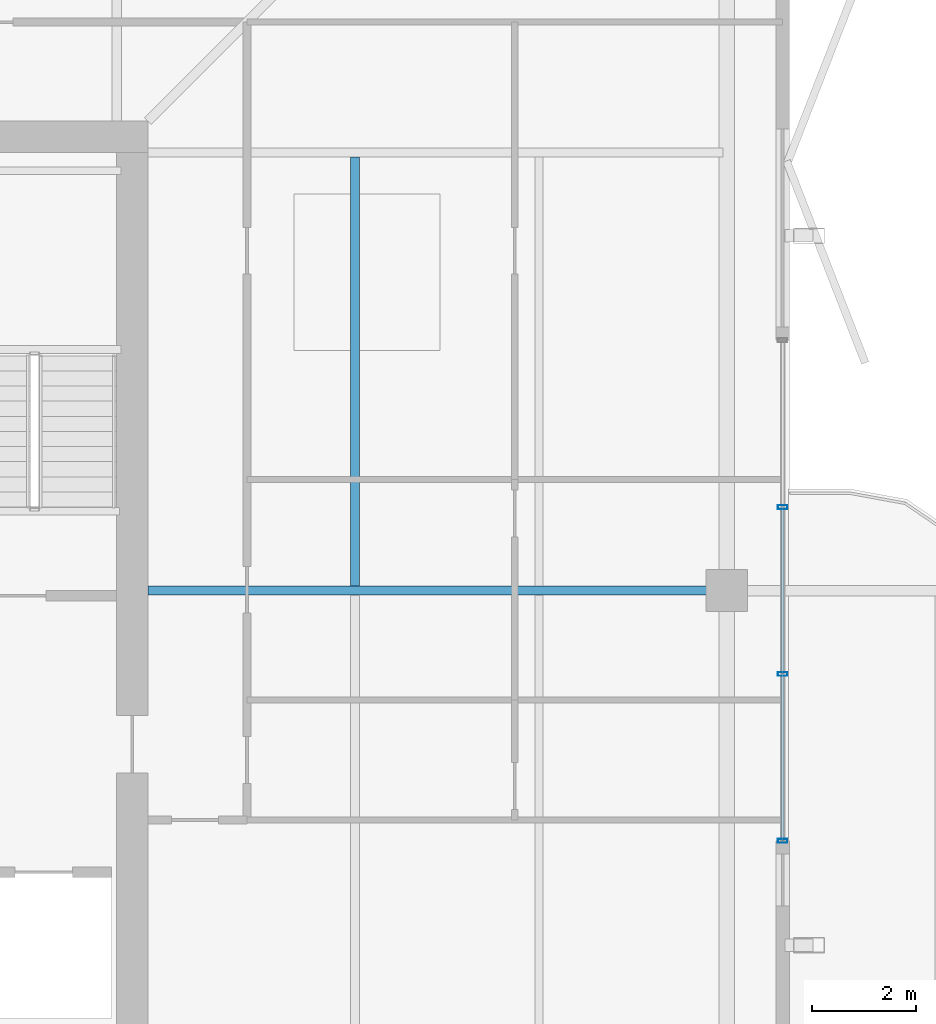
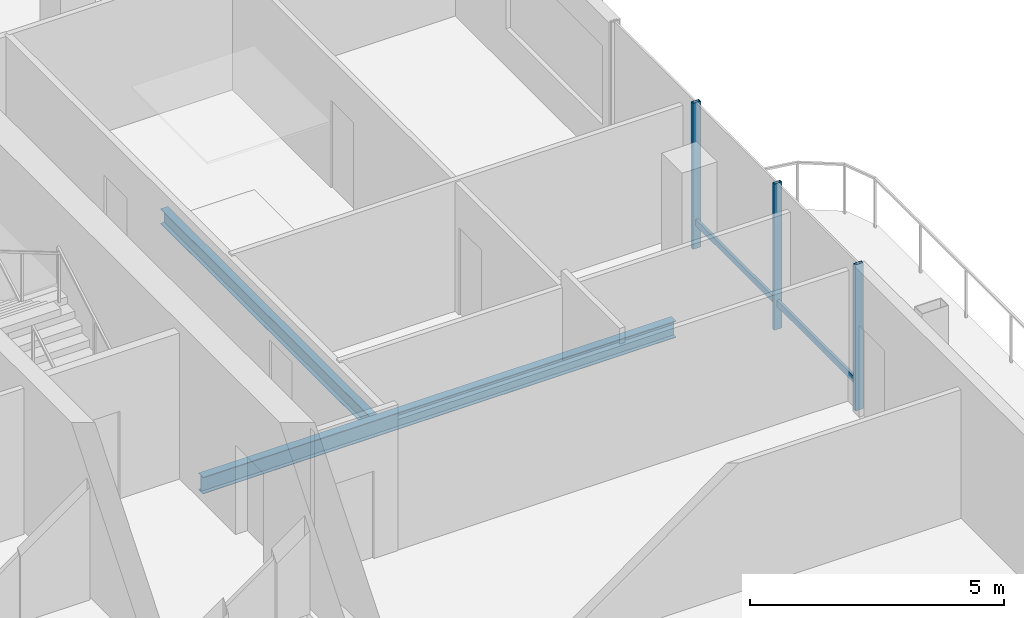
# One storey, part 9 of 22: 5 members, 2 beams, 1 element without a shape of its own.
"""IFC4 building model written with IfcOpenShell, lengths in metres."""

from ifc_helpers import new_model, si_unit, direction, frame, origin, origin_2d, place, context, subcontext, project, spatial, hollow_rectangle, i_section, extrude, material, layer, layer_set, material_profile, profile_set, type_object, element, aggregate, save


model = new_model("IFC4")

# Units and contexts
model_context = context("Model", 3, precision=1e-05, world=origin(), true_north=direction((0.0, 1.0)))
body_context = subcontext(model_context, "Body", "Model", "MODEL_VIEW")
ifc_project = project(units=[si_unit("LENGTHUNIT", "METRE"), si_unit("AREAUNIT", "SQUARE_METRE"), si_unit("VOLUMEUNIT", "CUBIC_METRE"), si_unit("PLANEANGLEUNIT", "RADIAN"), si_unit("MASSUNIT", "GRAM", prefix="KILO")], contexts=[model_context])

# Site, building, storey
site_placement = place(None, origin())
site = spatial("IfcSite", under=ifc_project, at=site_placement, CompositionType="ELEMENT")
building_placement = place(site_placement, origin())
building = spatial("IfcBuilding", under=site, at=building_placement, Name="Belovzor Exchange Tower", CompositionType="ELEMENT")
storey_placement = place(building_placement, frame((0.0, 0.0, 348.0)))
storey = spatial("IfcBuildingStorey", under=building, at=storey_placement, Name="L87", CompositionType="ELEMENT", Elevation=348.0)

# Beam
ifc_material_1 = material(Name="Steel S355", Category="steel")
ifc_material_profile_1 = material_profile(ifc_material_1, i_section(OverallWidth=0.169921875, OverallDepth=0.360107421875, WebThickness=0.008056640625, FlangeThickness=0.0126953125, at=origin_2d()))
ifc_profile_set_1 = profile_set([ifc_material_profile_1], Name="Steel S355")
beam_type_1 = type_object("IfcBeamType", Name="Secondary Infill Floor Joist IPE 360", PredefinedType="BEAM", material=ifc_profile_set_1)
beam_1_placement = place(storey_placement, frame((41.76904296875, 28.889892578125, -0.419921875), z_axis=(0.0, 1.0, 0.0), x_axis=(-1.0, 0.0, 0.0)))
element("IfcBeam", 1, at=beam_1_placement, inside=storey, type_object=beam_type_1, Name="FJ-360 Secondary Infill Floor Joist IPE 360", PredefinedType="BEAM", context=body_context, shape_type="SweptSolid", body=[
    extrude(i_section(OverallWidth=0.169921875, OverallDepth=0.360107421875, WebThickness=0.008056640625, FlangeThickness=0.0126953125, at=origin_2d()), origin(), (0.0, 0.0, 1.0), 8.22021484375),
])

# Curtain wall, members
ifc_material_2 = material(Name="Anodised Aluminium Framing", Category="aluminium")
ifc_layer = layer(ifc_material_2, 0.179931640625)
ifc_layer_set = layer_set([ifc_layer], Name="Anodised Aluminium Framing")
curtain_wall_type = type_object("IfcCurtainWallType", Name="Recessed Loggia Low-Iron Triple-Glazed Curtain Wall", PredefinedType="NOTDEFINED", material=ifc_layer_set)
curtain_wall_placement = place(storey_placement, origin())
curtain_wall = element("IfcCurtainWall", 2, at=curtain_wall_placement, inside=storey, type_object=curtain_wall_type, Name="CW3 Recessed Loggia Low-Iron Triple-Glazed Curtain Wall L87", PredefinedType="NOTDEFINED")
ifc_material_3 = material(Name="Steel S355", Category="steel")
ifc_material_profile_2 = material_profile(ifc_material_3, hollow_rectangle(XDim=0.074951171875, YDim=0.179931640625, WallThickness=0.0048828125, at=origin_2d()))
ifc_profile_set_2 = profile_set([ifc_material_profile_2], Name="Steel S355")
member_type_1 = type_object("IfcMemberType", Name="Thermally Broken Curtain Wall Mullion 180x75", PredefinedType="MULLION", material=ifc_profile_set_2)
member_1_placement = place(storey_placement, frame((49.969970703125, 30.39990234375, 0.0), z_axis=(0.0, 0.0, 1.0), x_axis=(0.0, -1.0, 0.0)))
member_1 = element("IfcMember", 3, at=member_1_placement, type_object=member_type_1, Name="CW-M180 Curtain Wall Mullion 2", PredefinedType="MULLION", context=body_context, shape_type="SweptSolid", body=[
    extrude(hollow_rectangle(XDim=0.074951171875, YDim=0.179931640625, WallThickness=0.0048828125, at=origin_2d()), origin(), (0.0, 0.0, 1.0), 3.510009765625),
])
member_2_placement = place(storey_placement, frame((49.969970703125, 27.199951171875, 0.0), z_axis=(0.0, 0.0, 1.0), x_axis=(0.0, -1.0, 0.0)))
member_2 = element("IfcMember", 4, at=member_2_placement, type_object=member_type_1, Name="CW-M180 Curtain Wall Mullion 3", PredefinedType="MULLION", context=body_context, shape_type="SweptSolid", body=[
    extrude(hollow_rectangle(XDim=0.074951171875, YDim=0.179931640625, WallThickness=0.0048828125, at=origin_2d()), origin(), (0.0, 0.0, 1.0), 3.510009765625),
])
member_3_placement = place(storey_placement, frame((49.969970703125, 24.0, 0.0), z_axis=(0.0, 0.0, 1.0), x_axis=(0.0, -1.0, 0.0)))
member_3 = element("IfcMember", 5, at=member_3_placement, type_object=member_type_1, Name="CW-M180 Curtain Wall Mullion 4", PredefinedType="MULLION", context=body_context, shape_type="SweptSolid", body=[
    extrude(hollow_rectangle(XDim=0.074951171875, YDim=0.179931640625, WallThickness=0.0048828125, at=origin_2d()), origin(), (0.0, 0.0, 1.0), 3.510009765625),
])
ifc_material_4 = material(Name="Steel S355", Category="steel")
ifc_material_profile_3 = material_profile(ifc_material_4, hollow_rectangle(XDim=0.06005859375, YDim=0.14990234375, WallThickness=0.00390625, at=origin_2d()))
ifc_profile_set_3 = profile_set([ifc_material_profile_3], Name="Steel S355")
member_type_2 = type_object("IfcMemberType", Name="Thermally Broken Curtain Wall Transom 150x60", PredefinedType="USERDEFINED", material=ifc_profile_set_3)
member_4_placement = place(storey_placement, frame((49.969970703125, 30.39208984375, 0.632080078125), z_axis=(0.0, -1.0, 0.0), x_axis=(1.0, 0.0, 0.0)))
member_4 = element("IfcMember", 6, at=member_4_placement, type_object=member_type_2, Name="CW-T150 Curtain Wall Transom 2", ObjectType="TRANSOM", PredefinedType="USERDEFINED", context=body_context, shape_type="SweptSolid", body=[
    extrude(hollow_rectangle(XDim=0.06005859375, YDim=0.14990234375, WallThickness=0.00390625, at=origin_2d()), origin(), (0.0, 0.0, 1.0), 3.18408203125),
])
member_5_placement = place(storey_placement, frame((49.969970703125, 27.19189453125, 0.632080078125), z_axis=(0.0, -1.0, 0.0), x_axis=(1.0, 0.0, 0.0)))
member_5 = element("IfcMember", 7, at=member_5_placement, type_object=member_type_2, Name="CW-T150 Curtain Wall Transom 3", ObjectType="TRANSOM", PredefinedType="USERDEFINED", context=body_context, shape_type="SweptSolid", body=[
    extrude(hollow_rectangle(XDim=0.06005859375, YDim=0.14990234375, WallThickness=0.00390625, at=origin_2d()), origin(), (0.0, 0.0, 1.0), 3.183837890625),
])
aggregate(curtain_wall, [member_1, member_2, member_3, member_4, member_5])

# Beam
ifc_material_5 = material(Name="Steel S355", Category="steel")
ifc_material_profile_4 = material_profile(ifc_material_5, i_section(OverallWidth=0.179931640625, OverallDepth=0.39990234375, WebThickness=0.008544921875, FlangeThickness=0.013427734375, at=origin_2d()))
ifc_profile_set_4 = profile_set([ifc_material_profile_4], Name="Steel S355")
beam_type_2 = type_object("IfcBeamType", Name="Zone 5-6 Radial Composite Floor Beam IPE 400", PredefinedType="BEAM", material=ifc_profile_set_4)
beam_2_placement = place(storey_placement, frame((37.800048828125, 28.800048828125, -0.43994140625), z_axis=(1.0, 0.0, 0.0), x_axis=(0.0, 1.0, 0.0)))
element("IfcBeam", 8, at=beam_2_placement, inside=storey, type_object=beam_type_2, Name="FB-400 Zone 5-6 Radial Composite Floor Beam IPE 400", PredefinedType="BEAM", context=body_context, shape_type="SweptSolid", body=[
    extrude(i_section(OverallWidth=0.179931640625, OverallDepth=0.39990234375, WebThickness=0.008544921875, FlangeThickness=0.013427734375, at=origin_2d()), origin(), (0.0, 0.0, 1.0), 10.748046875),
])

save(model, "model.ifc")
